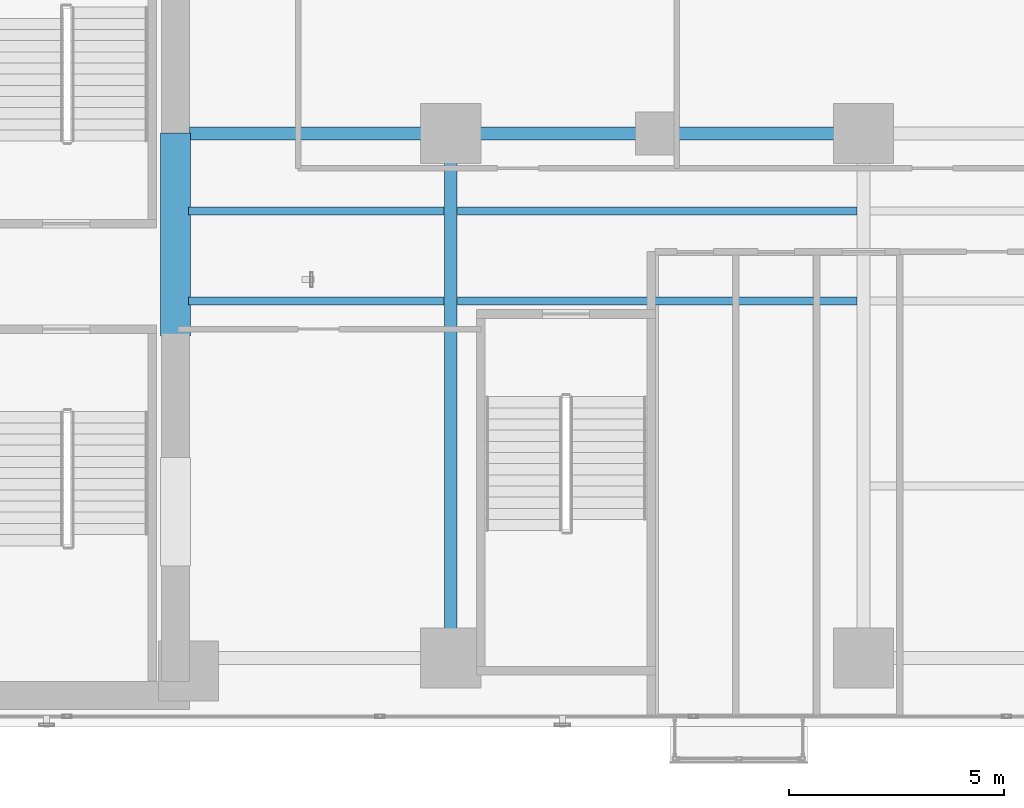
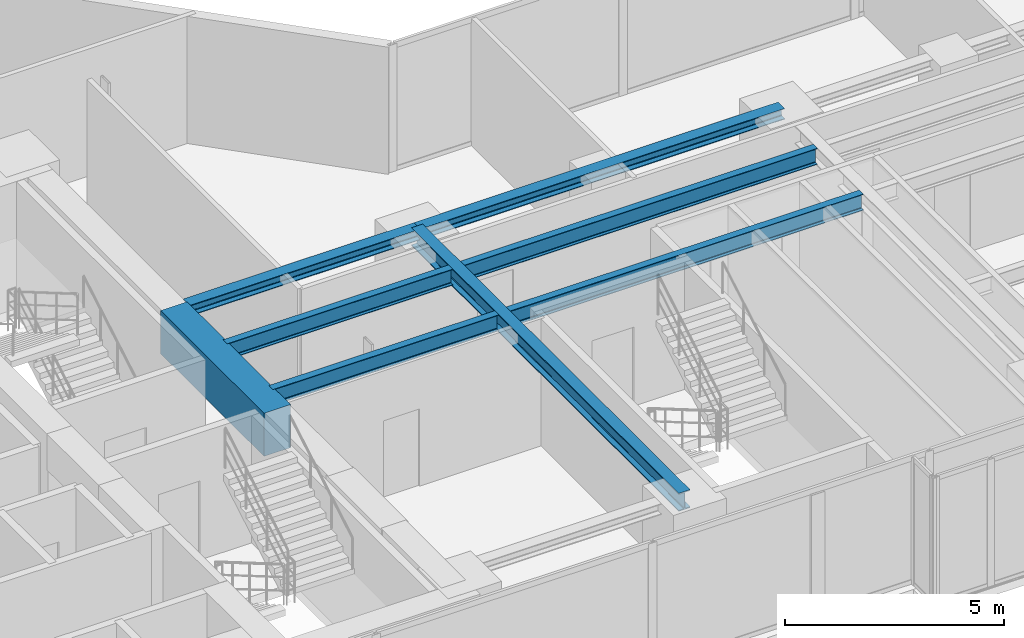
# One storey, part 6 of 26: 8 beams.
"""IFC4 building model written with IfcOpenShell, lengths in metres."""

from ifc_helpers import new_model, si_unit, direction, frame, origin, origin_2d, place, context, subcontext, project, spatial, rectangle, i_section, extrude, material, material_profile, profile_set, type_object, element, save


model = new_model("IFC4")

# Units and contexts
model_context = context("Model", 3, precision=1e-05, world=origin(), true_north=direction((0.0, 1.0)))
body_context = subcontext(model_context, "Body", "Model", "MODEL_VIEW")
ifc_project = project(units=[si_unit("LENGTHUNIT", "METRE"), si_unit("AREAUNIT", "SQUARE_METRE"), si_unit("VOLUMEUNIT", "CUBIC_METRE"), si_unit("PLANEANGLEUNIT", "RADIAN"), si_unit("MASSUNIT", "GRAM", prefix="KILO")], contexts=[model_context])

# Site, building, storey
site_placement = place(None, origin())
site = spatial("IfcSite", under=ifc_project, at=site_placement, CompositionType="ELEMENT")
building_placement = place(site_placement, origin())
building = spatial("IfcBuilding", under=site, at=building_placement, Name="Kolvaren Waterfront Exchange", CompositionType="ELEMENT")
storey_placement = place(building_placement, frame((0.0, 0.0, 99.300048828125)))
storey = spatial("IfcBuildingStorey", under=building, at=storey_placement, Name="L25", CompositionType="ELEMENT", Elevation=99.300048828125)

# Beams
ifc_material_1 = material(Name="Steel S355", Category="steel")
ifc_material_profile_1 = material_profile(ifc_material_1, i_section(OverallWidth=0.300048828125, OverallDepth=0.300048828125, WebThickness=0.010986328125, FlangeThickness=0.01904296875, FilletRadius=0.027099609375, at=origin_2d()), Name="HEB300")
ifc_profile_set_1 = profile_set([ifc_material_profile_1], Name="Steel S355")
beam_type_1 = type_object("IfcBeamType", Name="STR-BM-HEB300", PredefinedType="SPANDREL", material=ifc_profile_set_1)
beam_1_placement = place(storey_placement, frame((21.125, 17.39990234375, 3.389892578125), z_axis=(1.0, 0.0, 0.0), x_axis=(0.0, 1.0, 0.0)))
element("IfcBeam", 1, at=beam_1_placement, inside=storey, type_object=beam_type_1, Name="L25 east-arm spandrel N1", PredefinedType="SPANDREL", context=body_context, shape_type="SweptSolid", body=[
    extrude(i_section(OverallWidth=0.300048828125, OverallDepth=0.300048828125, WebThickness=0.010986328125, FlangeThickness=0.01904296875, FilletRadius=0.027099609375, at=origin_2d()), origin(), (0.0, 0.0, 1.0), 6.074951171875),
])
beam_2_placement = place(storey_placement, frame((27.199951171875, 17.39990234375, 3.389892578125), z_axis=(1.0, 0.0, 0.0), x_axis=(0.0, 1.0, 0.0)))
element("IfcBeam", 2, at=beam_2_placement, inside=storey, type_object=beam_type_1, Name="L25 east-arm spandrel N2", PredefinedType="SPANDREL", context=body_context, shape_type="SweptSolid", body=[
    extrude(i_section(OverallWidth=0.300048828125, OverallDepth=0.300048828125, WebThickness=0.010986328125, FlangeThickness=0.01904296875, FilletRadius=0.027099609375, at=origin_2d()), origin(), (0.0, 0.0, 1.0), 9.60009765625),
])
ifc_material_profile_2 = material_profile(ifc_material_1, i_section(OverallWidth=0.300048828125, OverallDepth=0.5, WebThickness=0.014404296875, FlangeThickness=0.028076171875, FilletRadius=0.027099609375, at=origin_2d()), Name="HEB500")
ifc_profile_set_2 = profile_set([ifc_material_profile_2], Name="Steel S355")
beam_type_2 = type_object("IfcBeamType", Name="STR-BM-HEB500", PredefinedType="BEAM", material=ifc_profile_set_2)
beam_3_placement = place(storey_placement, frame((27.199951171875, 5.199951171875, 3.2900390625), z_axis=(0.0, 1.0, 0.0), x_axis=(-1.0, 0.0, 0.0)))
element("IfcBeam", 3, at=beam_3_placement, inside=storey, type_object=beam_type_2, Name="L25 east-arm transverse girder X27", PredefinedType="BEAM", context=body_context, shape_type="SweptSolid", body=[
    extrude(i_section(OverallWidth=0.300048828125, OverallDepth=0.5, WebThickness=0.014404296875, FlangeThickness=0.028076171875, FilletRadius=0.027099609375, at=origin_2d()), origin(), (0.0, 0.0, 1.0), 12.199951171875),
])
ifc_material_profile_3 = material_profile(ifc_material_1, i_section(OverallWidth=0.18994140625, OverallDepth=0.449951171875, WebThickness=0.009521484375, FlangeThickness=0.0146484375, FilletRadius=0.02099609375, at=origin_2d()), Name="IPE450")
ifc_profile_set_3 = profile_set([ifc_material_profile_3], Name="Steel S355")
beam_type_3 = type_object("IfcBeamType", Name="STR-BM-IPE450", PredefinedType="JOIST", material=ifc_profile_set_3)
for number, where, z_axis, x_axis, name in (
    (4, (21.10009765625, 13.5, 3.31494140625), (1.0, 0.0, 0.0), (0.0, 1.0, 0.0), "L25 east-arm composite joist 1A"),
    (5, (21.10009765625, 15.60009765625, 3.31494140625), (1.0, 0.0, 0.0), (0.0, 1.0, 0.0), "L25 east-arm composite joist 1C"),
):
    element("IfcBeam", number, at=place(storey_placement, frame(where, z_axis=z_axis, x_axis=x_axis)), inside=storey, type_object=beam_type_3, Name=name, PredefinedType="JOIST", context=body_context, shape_type="SweptSolid", body=[
        extrude(i_section(OverallWidth=0.18994140625, OverallDepth=0.449951171875, WebThickness=0.009521484375, FlangeThickness=0.0146484375, FilletRadius=0.02099609375, at=origin_2d()), origin(), (0.0, 0.0, 1.0), 5.947998046875),
    ])
for number, where, z_axis, x_axis, name in (
    (6, (27.35205078125, 13.5, 3.31494140625), (1.0, 0.0, 0.0), (0.0, 1.0, 0.0), "L25 east-arm composite joist 2A"),
    (7, (27.35205078125, 15.60009765625, 3.31494140625), (1.0, 0.0, 0.0), (0.0, 1.0, 0.0), "L25 east-arm composite joist 2C"),
):
    element("IfcBeam", number, at=place(storey_placement, frame(where, z_axis=z_axis, x_axis=x_axis)), inside=storey, type_object=beam_type_3, Name=name, PredefinedType="JOIST", context=body_context, shape_type="SweptSolid", body=[
        extrude(i_section(OverallWidth=0.18994140625, OverallDepth=0.449951171875, WebThickness=0.009521484375, FlangeThickness=0.0146484375, FilletRadius=0.02099609375, at=origin_2d()), origin(), (0.0, 0.0, 1.0), 9.2958984375),
    ])
ifc_material_2 = material(Name="Concrete C70/85", Category="concrete")
ifc_material_profile_4 = material_profile(ifc_material_2, rectangle(XDim=0.699951171875, YDim=1.199951171875, at=origin_2d()), Name="RC-CB-1200x700")
ifc_profile_set_4 = profile_set([ifc_material_profile_4], Name="Concrete C70/85")
beam_type_4 = type_object("IfcBeamType", Name="STR-CB-1200", PredefinedType="SPANDREL", material=ifc_profile_set_4)
beam_4_placement = place(storey_placement, frame((20.800048828125, 12.68994140625, 2.93994140625), z_axis=(0.0, 1.0, 0.0), x_axis=(-1.0, 0.0, 0.0)))
element("IfcBeam", 8, at=beam_4_placement, inside=storey, type_object=beam_type_4, Name="L25 core coupling beam 2", PredefinedType="SPANDREL", context=body_context, shape_type="SweptSolid", body=[
    extrude(rectangle(XDim=0.699951171875, YDim=1.199951171875, at=origin_2d()), origin(), (0.0, 0.0, 1.0), 4.719970703125),
])

save(model, "model.ifc")
